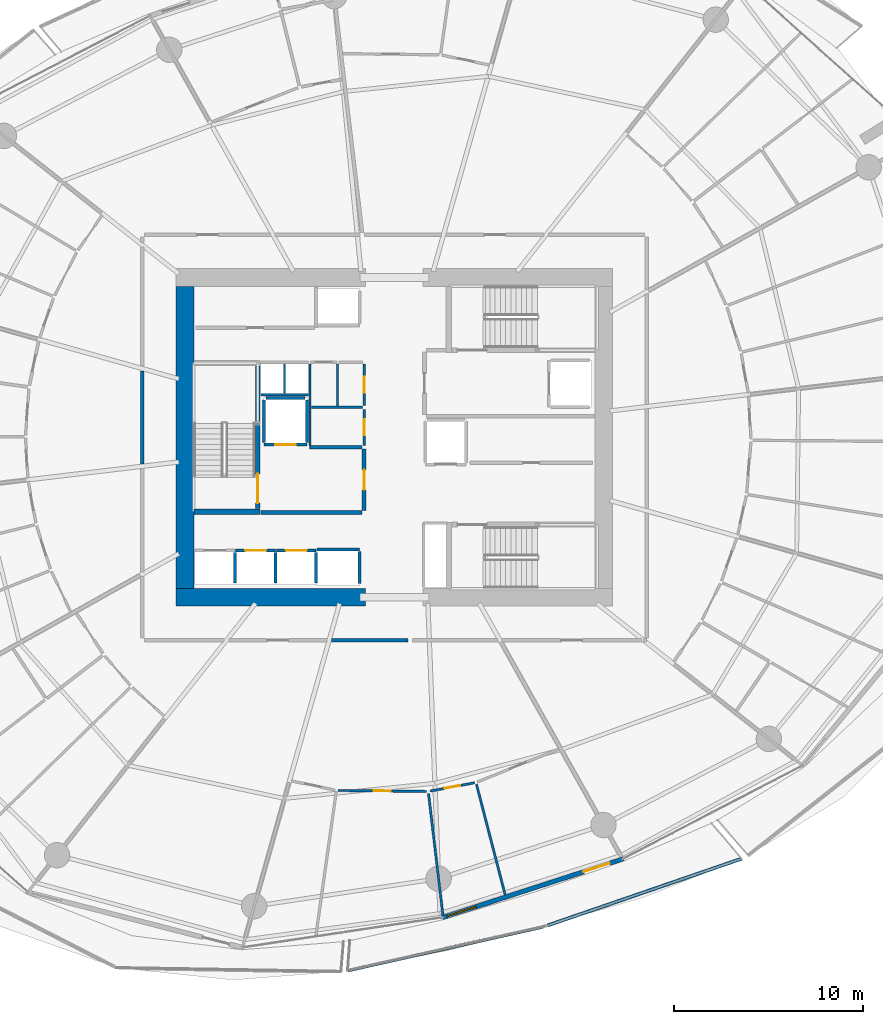
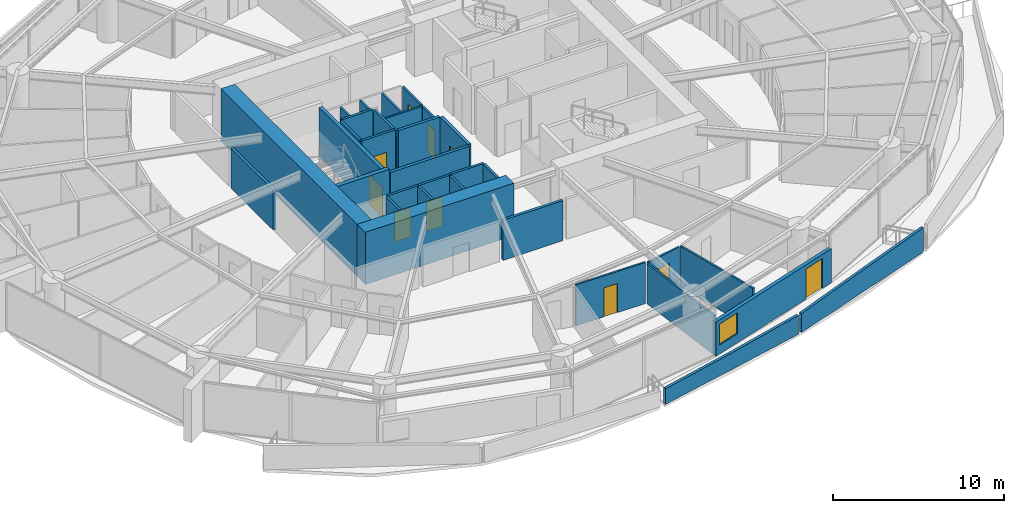
# One storey, part 20 of 32: 34 walls, 10 doors, 1 window, 11 openings.
"""IFC4 building model written with IfcOpenShell, lengths in metres."""

from ifc_helpers import new_model, si_unit, direction, frame, frame_2d, origin, place, context, subcontext, project, spatial, polyline, rectangle, outline, extrude, material, layer, layer_set, type_object, element, fill, save


model = new_model("IFC4")

# Units and contexts
model_context = context("Model", 3, precision=1e-05, world=origin(), true_north=direction((0.0, 1.0)))
body_context = subcontext(model_context, "Body", "Model", "MODEL_VIEW")
ifc_project = project(units=[si_unit("LENGTHUNIT", "METRE"), si_unit("AREAUNIT", "SQUARE_METRE"), si_unit("VOLUMEUNIT", "CUBIC_METRE"), si_unit("PLANEANGLEUNIT", "RADIAN"), si_unit("MASSUNIT", "GRAM", prefix="KILO")], contexts=[model_context])

# Site, building, storey
site_placement = place(None, origin())
site = spatial("IfcSite", under=ifc_project, at=site_placement, CompositionType="ELEMENT")
building_placement = place(site_placement, origin())
building = spatial("IfcBuilding", under=site, at=building_placement, Name="Kazma Halo Residences", CompositionType="ELEMENT")
storey_placement = place(building_placement, frame((0.0, 0.0, 63.89990234375)))
storey = spatial("IfcBuildingStorey", under=building, at=storey_placement, Name="L15", CompositionType="ELEMENT", Elevation=63.89990234375)

# Walls
ifc_material_1 = material(Name="White Concrete C50/60 Balustrade", Category="concrete")
ifc_layer_1 = layer(ifc_material_1, 0.179931640625)
ifc_layer_set_1 = layer_set([ifc_layer_1], Name="White Concrete C50/60 Balustrade")
wall_type_1 = type_object("IfcWallType", Name="WL-BAL-WAVE-180", PredefinedType="PARAPET", material=ifc_layer_set_1)
wall_1_placement = place(storey_placement, frame((45.949462890625, 13.738525390625, 0.0), z_axis=(0.0, 0.0, 1.0), x_axis=(0.975844238529, 0.218467439518, 0.0)))
element("IfcWall", 1, at=wall_1_placement, inside=storey, type_object=wall_type_1, Name="L15 white wave balustrade wall SSE.1", PredefinedType="PARAPET", context=body_context, shape_type="SweptSolid", body=[
    extrude(outline(polyline([(0.0, 0.0), (10.61083984375, 0.0), (10.61083984375, 1.34814453125), (5.305419921875, 1.18212890625), (0.0, 1.1201171875), (0.0, 0.0)])), frame((0.0, 0.08984375, 0.0), z_axis=(0.0, -1.0, 0.0), x_axis=(1.0, 0.0, 0.0)), (0.0, 0.0, 1.0), 0.179931640625),
])
wall_2_placement = place(storey_placement, frame((56.534423828125, 16.121826171875, 0.0), z_axis=(0.0, 0.0, 1.0), x_axis=(0.945564712315, 0.325434132851, 0.0)))
element("IfcWall", 2, at=wall_2_placement, inside=storey, type_object=wall_type_1, Name="L15 white wave balustrade wall SSE.2", PredefinedType="PARAPET", context=body_context, shape_type="SweptSolid", body=[
    extrude(outline(polyline([(0.0, 0.0), (10.8974609375, 0.0), (10.897216796875, 1.7470703125), (5.448486328125, 1.56201171875), (0.0, 1.34814453125), (0.0, 0.0)])), frame((0.0, 0.08984375, 0.0), z_axis=(0.0, -1.0, 0.0), x_axis=(1.0, 0.0, 0.0)), (0.0, 0.0, 1.0), 0.179931640625),
])
ifc_material_2 = material(Name="Concrete C80/95", Category="concrete")
ifc_layer_2 = layer(ifc_material_2, 0.949951171875)
ifc_layer_set_2 = layer_set([ifc_layer_2], Name="Concrete C80/95")
wall_type_2 = type_object("IfcWallType", Name="WL-CORE-950", PredefinedType="SHEAR", material=ifc_layer_set_2)
wall_3_placement = place(storey_placement, frame((36.85009765625, 33.52490234375, 0.0), z_axis=(0.0, 0.0, 1.0), x_axis=(1.0, 0.0, 0.0)))
element("IfcWall", 3, at=wall_3_placement, inside=storey, type_object=wall_type_2, Name="L15 central core shear wall SW", PredefinedType="SHEAR", context=body_context, shape_type="SweptSolid", body=[
    extrude(rectangle(XDim=10.0498046875, YDim=0.949951171875, at=frame_2d((5.02490234375, 0.0))), origin(), (0.0, 0.0, 1.0), 3.75),
])
wall_4_placement = place(storey_placement, frame((37.324951171875, 34.0, 0.0), z_axis=(0.0, 0.0, 1.0), x_axis=(0.0, 1.0, 0.0)))
element("IfcWall", 4, at=wall_4_placement, inside=storey, type_object=wall_type_2, Name="L15 central core shear wall W", PredefinedType="SHEAR", context=body_context, shape_type="SweptSolid", body=[
    extrude(rectangle(XDim=16.0, YDim=0.949951171875, at=frame_2d((8.0, 0.0))), origin(), (0.0, 0.0, 1.0), 3.75),
])
ifc_material_3 = material(Name="Concrete C60/75", Category="concrete")
ifc_layer_3 = layer(ifc_material_3, 0.280029296875)
ifc_layer_set_3 = layer_set([ifc_layer_3], Name="Concrete C60/75")
wall_type_3 = type_object("IfcWallType", Name="WL-CORE-ST-280", PredefinedType="SHEAR", material=ifc_layer_set_3)
wall_5_placement = place(storey_placement, frame((37.800048828125, 38.06005859375, 0.0), z_axis=(0.0, 0.0, 1.0), x_axis=(1.0, 0.0, 0.0)))
element("IfcWall", 5, at=wall_5_placement, inside=storey, type_object=wall_type_3, Name="L15 stairwell bearing wall ST01-S", PredefinedType="SHEAR", context=body_context, shape_type="SweptSolid", body=[
    extrude(rectangle(XDim=3.5, YDim=0.280029296875, at=frame_2d((1.75, 0.0))), origin(), (0.0, 0.0, 1.0), 3.75),
])
ifc_material_4 = material(Name="Acoustic Twin-Stud Gypsum")
ifc_layer_4 = layer(ifc_material_4, 0.179931640625)
ifc_layer_set_4 = layer_set([ifc_layer_4], Name="Acoustic Twin-Stud Gypsum")
wall_type_4 = type_object("IfcWallType", Name="WL-DEM-180", PredefinedType="PARTITIONING", material=ifc_layer_set_4)
wall_6_placement = place(storey_placement, frame((35.050048828125, 45.5322265625, 0.0), z_axis=(0.0, 0.0, 1.0), x_axis=(0.0, -1.0, 0.0)))
element("IfcWall", 6, at=wall_6_placement, inside=storey, type_object=wall_type_4, Name="L15 Apartment 1 inner wall 6", PredefinedType="PARTITIONING", context=body_context, shape_type="SweptSolid", body=[
    extrude(rectangle(XDim=4.94482421875, YDim=0.179931640625, at=frame_2d((2.472412109375, 0.0))), origin(), (0.0, 0.0, 1.0), 2.8671875),
])
wall_7_placement = place(storey_placement, frame((45.088134765625, 31.25, 0.0), z_axis=(0.0, 0.0, 1.0), x_axis=(1.0, 0.0, 0.0)))
element("IfcWall", 7, at=wall_7_placement, inside=storey, type_object=wall_type_4, Name="L15 Apartment 2 inner wall 10", PredefinedType="PARTITIONING", context=body_context, shape_type="SweptSolid", body=[
    extrude(rectangle(XDim=4.064208984375, YDim=0.179931640625, at=frame_2d((2.0322265625, 0.0))), origin(), (0.0, 0.0, 1.0), 2.8671875),
])

# Wall, openings, door, window
ifc_material_5 = material(Name="Insulated Pale-Metal Composite Wall")
ifc_layer_5 = layer(ifc_material_5, 0.239990234375)
ifc_layer_set_5 = layer_set([ifc_layer_5], Name="Insulated Pale-Metal Composite Wall")
wall_type_5 = type_object("IfcWallType", Name="WL-EXT-HOST-240", PredefinedType="SOLIDWALL", material=ifc_layer_set_5)
wall_8_placement = place(storey_placement, frame((50.9638671875, 16.54150390625, 0.0), z_axis=(0.0, 0.0, 1.0), x_axis=(0.951054679225, 0.309022648238, 0.0)))
wall_8 = element("IfcWall", 8, at=wall_8_placement, inside=storey, type_object=wall_type_5, Name="L15 exterior terrace-access wall B12", PredefinedType="SOLIDWALL", context=body_context, shape_type="SweptSolid", body=[
    extrude(rectangle(XDim=10.0966796875, YDim=0.239990234375, at=frame_2d((5.04833984375, 0.0))), origin(), (0.0, 0.0, 1.0), 2.4501953125),
])
opening_1_placement = place(wall_8_placement, frame((7.876708984375, 0.0, 0.0)))
opening_1 = element("IfcOpeningElement", 9, at=opening_1_placement, cuts=wall_8, Name="Opening DTR-1600", PredefinedType="OPENING", context=body_context, shape_type="SweptSolid", body=[
    extrude(rectangle(XDim=1.449951171875, YDim=2.14990234375, at=frame_2d((0.72509765625, 1.074951171875))), frame((0.0, 0.1298828125, 0.0), z_axis=(0.0, -1.0, 0.0), x_axis=(1.0, 0.0, 0.0)), (0.0, 0.0, 1.0), 0.260009765625),
])
opening_2_placement = place(wall_8_placement, frame((0.280029296875, 0.0, 0.64990234375)))
opening_2 = element("IfcOpeningElement", 10, at=opening_2_placement, cuts=wall_8, Name="Opening W-1800", PredefinedType="OPENING", context=body_context, shape_type="SweptSolid", body=[
    extrude(rectangle(XDim=1.60009765625, YDim=1.5, at=frame_2d((0.800048828125, 0.75))), frame((0.0, 0.1298828125, 0.0), z_axis=(0.0, -1.0, 0.0), x_axis=(1.0, 0.0, 0.0)), (0.0, 0.0, 1.0), 0.260009765625),
])
ifc_material_6 = material(Name="Aluminium AW-6063 T6 Double-Glazed Terrace Door", Category="aluminium")
door_type_1 = type_object("IfcDoorType", Name="DR-EXT-TERR-1600", OperationType="NOTDEFINED", PredefinedType="DOOR", material=ifc_material_6)
door_1_placement = place(opening_1_placement, origin())
door_1 = element("IfcDoor", 11, at=door_1_placement, inside=storey, type_object=door_type_1, Name="L15 B12 balcony terrace door", OperationType="DOUBLE_DOOR_SLIDING", OverallHeight=2.14990234375, OverallWidth=1.449951171875, PredefinedType="DOOR", context=body_context, shape_type="SweptSolid", body=[
    extrude(rectangle(XDim=1.449951171875, YDim=2.14990234375, at=frame_2d((0.72509765625, 1.074951171875))), frame((0.0, 0.02490234375, 0.0), z_axis=(0.0, -1.0, 0.0), x_axis=(1.0, 0.0, 0.0)), (0.0, 0.0, 1.0), 0.050048828125),
])
fill(opening_1, door_1)
ifc_material_7 = material(Name="Clear Triple-Silver Low-E Glass in Aluminium AW-6063 T6 Frame", Category="aluminium")
window_type = type_object("IfcWindowType", Name="WIN-RES-1800", PartitioningType="DOUBLE_PANEL_VERTICAL", PredefinedType="WINDOW", material=ifc_material_7)
window_placement = place(opening_2_placement, origin())
window = element("IfcWindow", 12, at=window_placement, inside=storey, type_object=window_type, Name="L15 B12 apartment window", OverallHeight=1.5, OverallWidth=1.60009765625, PartitioningType="SINGLE_PANEL", PredefinedType="WINDOW", context=body_context, shape_type="SweptSolid", body=[
    extrude(rectangle(XDim=1.60009765625, YDim=1.5, at=frame_2d((0.800048828125, 0.75))), frame((0.0, 0.030029296875, 0.0), z_axis=(0.0, -1.0, 0.0), x_axis=(1.0, 0.0, 0.0)), (0.0, 0.0, 1.0), 0.06005859375),
])
fill(opening_2, window)

# Wall
ifc_material_8 = material(Name="Fire-Rated Blockwork Masonry", Category="masonry")
ifc_layer_6 = layer(ifc_material_8, 0.199951171875)
ifc_layer_set_6 = layer_set([ifc_layer_6], Name="Fire-Rated Blockwork Masonry")
wall_type_6 = type_object("IfcWallType", Name="WL-FLB-200", PredefinedType="PARTITIONING", material=ifc_layer_set_6)
wall_9_placement = place(storey_placement, frame((39.97509765625, 34.294921875, 0.0), z_axis=(0.0, 0.0, 1.0), x_axis=(0.0, 1.0, 0.0)))
element("IfcWall", 13, at=wall_9_placement, inside=storey, type_object=wall_type_6, Name="L15 lift shaft PL-01 side wall E", PredefinedType="PARTITIONING", context=body_context, shape_type="SweptSolid", body=[
    extrude(rectangle(XDim=1.610107421875, YDim=0.159912109375, at=frame_2d((0.80517578125, 0.0))), origin(), (0.0, 0.0, 1.0), 3.5),
])

# Wall, opening, door
wall_10_placement = place(storey_placement, frame((40.014892578125, 36.0048828125, 0.0), z_axis=(0.0, 0.0, 1.0), x_axis=(1.0, 0.0, 0.0)))
wall_10 = element("IfcWall", 14, at=wall_10_placement, inside=storey, type_object=wall_type_6, Name="L15 lift shaft PL-02 front wall", PredefinedType="PARTITIONING", context=body_context, shape_type="SweptSolid", body=[
    extrude(rectangle(XDim=2.110107421875, YDim=0.159912109375, at=frame_2d((1.05517578125, 0.0))), origin(), (0.0, 0.0, 1.0), 3.5),
])
opening_3_placement = place(wall_10_placement, frame((0.5048828125, 0.0, 0.0)))
opening_3 = element("IfcOpeningElement", 15, at=opening_3_placement, cuts=wall_10, Name="Opening LD-PL-02", PredefinedType="OPENING", context=body_context, shape_type="SweptSolid", body=[
    extrude(rectangle(XDim=1.10009765625, YDim=2.10009765625, at=frame_2d((0.550048828125, 1.050048828125))), frame((0.0, 0.08984375, 0.0), z_axis=(0.0, -1.0, 0.0), x_axis=(1.0, 0.0, 0.0)), (0.0, 0.0, 1.0), 0.179931640625),
])
ifc_material_9 = material(Name="Stainless Steel Fire-Rated", Category="steel")
door_type_2 = type_object("IfcDoorType", Name="DR-LIFT-SLD-1100", OperationType="DOUBLE_DOOR_SLIDING", PredefinedType="DOOR", material=ifc_material_9)
door_2_placement = place(opening_3_placement, origin())
door_2 = element("IfcDoor", 16, at=door_2_placement, inside=storey, type_object=door_type_2, Name="L15 lift PL-02 sliding landing door", OperationType="DOUBLE_DOOR_SLIDING", OverallHeight=2.10009765625, OverallWidth=1.10009765625, PredefinedType="DOOR", context=body_context, shape_type="SweptSolid", body=[
    extrude(rectangle(XDim=1.10009765625, YDim=2.10009765625, at=frame_2d((0.550048828125, 1.050048828125))), frame((0.0, 0.02490234375, 0.0), z_axis=(0.0, -1.0, 0.0), x_axis=(1.0, 0.0, 0.0)), (0.0, 0.0, 1.0), 0.050048828125),
])
fill(opening_3, door_2)

# Wall
wall_11_placement = place(storey_placement, frame((42.125, 34.294921875, 0.0), z_axis=(0.0, 0.0, 1.0), x_axis=(0.0, 1.0, 0.0)))
element("IfcWall", 17, at=wall_11_placement, inside=storey, type_object=wall_type_6, Name="L15 lift shaft PL-02 side wall E", PredefinedType="PARTITIONING", context=body_context, shape_type="SweptSolid", body=[
    extrude(rectangle(XDim=1.610107421875, YDim=0.159912109375, at=frame_2d((0.80517578125, 0.0))), origin(), (0.0, 0.0, 1.0), 3.5),
])

# Wall, opening, door
wall_12_placement = place(storey_placement, frame((42.1650390625, 36.0048828125, 0.0), z_axis=(0.0, 0.0, 1.0), x_axis=(1.0, 0.0, 0.0)))
wall_12 = element("IfcWall", 18, at=wall_12_placement, inside=storey, type_object=wall_type_6, Name="L15 lift shaft PL-03 front wall", PredefinedType="PARTITIONING", context=body_context, shape_type="SweptSolid", body=[
    extrude(rectangle(XDim=2.10986328125, YDim=0.159912109375, at=frame_2d((1.054931640625, 0.0))), origin(), (0.0, 0.0, 1.0), 3.5),
])
opening_4_placement = place(wall_12_placement, frame((0.5048828125, 0.0, 0.0)))
opening_4 = element("IfcOpeningElement", 19, at=opening_4_placement, cuts=wall_12, Name="Opening LD-PL-03", PredefinedType="OPENING", context=body_context, shape_type="SweptSolid", body=[
    extrude(rectangle(XDim=1.10009765625, YDim=2.10009765625, at=frame_2d((0.550048828125, 1.050048828125))), frame((0.0, 0.08984375, 0.0), z_axis=(0.0, -1.0, 0.0), x_axis=(1.0, 0.0, 0.0)), (0.0, 0.0, 1.0), 0.179931640625),
])
door_3_placement = place(opening_4_placement, origin())
door_3 = element("IfcDoor", 20, at=door_3_placement, inside=storey, type_object=door_type_2, Name="L15 lift PL-03 sliding landing door", OperationType="DOUBLE_DOOR_SLIDING", OverallHeight=2.10009765625, OverallWidth=1.10009765625, PredefinedType="DOOR", context=body_context, shape_type="SweptSolid", body=[
    extrude(rectangle(XDim=1.10009765625, YDim=2.10009765625, at=frame_2d((0.550048828125, 1.050048828125))), frame((0.0, 0.02490234375, 0.0), z_axis=(0.0, -1.0, 0.0), x_axis=(1.0, 0.0, 0.0)), (0.0, 0.0, 1.0), 0.050048828125),
])
fill(opening_4, door_3)

# Walls
wall_13_placement = place(storey_placement, frame((44.27490234375, 34.294921875, 0.0), z_axis=(0.0, 0.0, 1.0), x_axis=(0.0, 1.0, 0.0)))
element("IfcWall", 21, at=wall_13_placement, inside=storey, type_object=wall_type_6, Name="L15 lift shaft PL-03 side wall E", PredefinedType="PARTITIONING", context=body_context, shape_type="SweptSolid", body=[
    extrude(rectangle(XDim=1.610107421875, YDim=0.159912109375, at=frame_2d((0.80517578125, 0.0))), origin(), (0.0, 0.0, 1.0), 3.5),
])
wall_14_placement = place(storey_placement, frame((44.320068359375, 36.054931640625, 0.0), z_axis=(0.0, 0.0, 1.0), x_axis=(1.0, 0.0, 0.0)))
element("IfcWall", 22, at=wall_14_placement, inside=storey, type_object=wall_type_6, Name="L15 lift shaft PX-02 front wall", PredefinedType="PARTITIONING", context=body_context, shape_type="SweptSolid", body=[
    extrude(rectangle(XDim=2.260009765625, YDim=0.159912109375, at=frame_2d((1.1298828125, 0.0))), origin(), (0.0, 0.0, 1.0), 3.5),
])
wall_15_placement = place(storey_placement, frame((46.580078125, 34.2451171875, 0.0), z_axis=(0.0, 0.0, 1.0), x_axis=(0.0, 1.0, 0.0)))
element("IfcWall", 23, at=wall_15_placement, inside=storey, type_object=wall_type_6, Name="L15 lift shaft PX-02 side wall E", PredefinedType="PARTITIONING", context=body_context, shape_type="SweptSolid", body=[
    extrude(rectangle(XDim=1.7099609375, YDim=0.159912109375, at=frame_2d((0.85498046875, 0.0))), origin(), (0.0, 0.0, 1.0), 3.5),
])

# Wall, opening, door
wall_16_placement = place(storey_placement, frame((43.780029296875, 41.6201171875, 0.0), z_axis=(0.0, 0.0, 1.0), x_axis=(-1.0, 0.0, 0.0)))
wall_16 = element("IfcWall", 24, at=wall_16_placement, inside=storey, type_object=wall_type_6, Name="L15 lift shaft FL-01 front wall", PredefinedType="PARTITIONING", context=body_context, shape_type="SweptSolid", body=[
    extrude(rectangle(XDim=2.260009765625, YDim=0.159912109375, at=frame_2d((1.1298828125, 0.0))), origin(), (0.0, 0.0, 1.0), 3.5),
])
opening_5_placement = place(wall_16_placement, frame((0.580078125, 0.0, 0.0)))
opening_5 = element("IfcOpeningElement", 25, at=opening_5_placement, cuts=wall_16, Name="Opening LD-FL-01", PredefinedType="OPENING", context=body_context, shape_type="SweptSolid", body=[
    extrude(rectangle(XDim=1.10009765625, YDim=2.10009765625, at=frame_2d((0.550048828125, 1.050048828125))), frame((0.0, 0.08984375, 0.0), z_axis=(0.0, -1.0, 0.0), x_axis=(1.0, 0.0, 0.0)), (0.0, 0.0, 1.0), 0.179931640625),
])
door_4_placement = place(opening_5_placement, origin())
door_4 = element("IfcDoor", 26, at=door_4_placement, inside=storey, type_object=door_type_2, Name="L15 lift FL-01 sliding landing door", OperationType="DOUBLE_DOOR_SLIDING", OverallHeight=2.10009765625, OverallWidth=1.10009765625, PredefinedType="DOOR", context=body_context, shape_type="SweptSolid", body=[
    extrude(rectangle(XDim=1.10009765625, YDim=2.10009765625, at=frame_2d((0.550048828125, 1.050048828125))), frame((0.0, 0.02490234375, 0.0), z_axis=(0.0, -1.0, 0.0), x_axis=(1.0, 0.0, 0.0)), (0.0, 0.0, 1.0), 0.050048828125),
])
fill(opening_5, door_4)

# Walls
for number, where, z_axis, x_axis, name in (
    (27, (43.780029296875, 41.719970703125, 0.0), (0.0, 0.0, 1.0), (0.0, 1.0, 0.0), "L15 lift shaft FL-01 side wall E"),
    (28, (41.52001953125, 41.719970703125, 0.0), (0.0, 0.0, 1.0), (0.0, 1.0, 0.0), "L15 lift shaft FL-01 side wall W"),
):
    element("IfcWall", number, at=place(storey_placement, frame(where, z_axis=z_axis, x_axis=x_axis)), inside=storey, type_object=wall_type_6, Name=name, PredefinedType="PARTITIONING", context=body_context, shape_type="SweptSolid", body=[
        extrude(rectangle(XDim=2.260009765625, YDim=0.159912109375, at=frame_2d((1.1298828125, 0.0))), origin(), (0.0, 0.0, 1.0), 3.5),
    ])
wall_17_placement = place(storey_placement, frame((41.6201171875, 44.080078125, 0.0), z_axis=(0.0, 0.0, 1.0), x_axis=(1.0, 0.0, 0.0)))
element("IfcWall", 29, at=wall_17_placement, inside=storey, type_object=wall_type_6, Name="L15 lift shaft FL-01 side wall N", PredefinedType="PARTITIONING", context=body_context, shape_type="SweptSolid", body=[
    extrude(rectangle(XDim=2.059814453125, YDim=0.159912109375, at=frame_2d((1.02978515625, 0.0))), origin(), (0.0, 0.0, 1.0), 3.5),
])
wall_18_placement = place(storey_placement, frame((41.35009765625, 38.02001953125, 0.0), z_axis=(0.0, 0.0, 1.0), x_axis=(1.0, 0.0, 0.0)))
element("IfcWall", 30, at=wall_18_placement, inside=storey, type_object=wall_type_6, Name="L15 west firefighting lobby south smoke wall", PredefinedType="PARTITIONING", context=body_context, shape_type="SweptSolid", body=[
    extrude(rectangle(XDim=5.369873046875, YDim=0.199951171875, at=frame_2d((2.68505859375, 0.0))), origin(), (0.0, 0.0, 1.0), 3.5),
])
wall_19_placement = place(storey_placement, frame((43.919921875, 41.47998046875, 0.0), z_axis=(0.0, 0.0, 1.0), x_axis=(1.0, 0.0, 0.0)))
element("IfcWall", 31, at=wall_19_placement, inside=storey, type_object=wall_type_6, Name="L15 west firefighting lobby north smoke wall", PredefinedType="PARTITIONING", context=body_context, shape_type="SweptSolid", body=[
    extrude(rectangle(XDim=2.800048828125, YDim=0.199951171875, at=frame_2d((1.39990234375, 0.0))), origin(), (0.0, 0.0, 1.0), 3.5),
])

# Wall, opening, door
wall_20_placement = place(storey_placement, frame((46.820068359375, 38.1201171875, 0.0), z_axis=(0.0, 0.0, 1.0), x_axis=(0.0, 1.0, 0.0)))
wall_20 = element("IfcWall", 32, at=wall_20_placement, inside=storey, type_object=wall_type_6, Name="L15 west firefighting lobby smoke wall", PredefinedType="PARTITIONING", context=body_context, shape_type="SweptSolid", body=[
    extrude(rectangle(XDim=3.259765625, YDim=0.199951171875, at=frame_2d((1.6298828125, 0.0))), origin(), (0.0, 0.0, 1.0), 3.5),
])
opening_6_placement = place(wall_20_placement, frame((1.10498046875, 0.0, 0.0)))
opening_6 = element("IfcOpeningElement", 33, at=opening_6_placement, cuts=wall_20, Name="Opening D-FLW", PredefinedType="OPENING", context=body_context, shape_type="SweptSolid", body=[
    extrude(rectangle(XDim=1.050048828125, YDim=2.10009765625, at=frame_2d((0.52490234375, 1.050048828125))), frame((0.0, 0.10986328125, 0.0), z_axis=(0.0, -1.0, 0.0), x_axis=(1.0, 0.0, 0.0)), (0.0, 0.0, 1.0), 0.219970703125),
])
ifc_material_10 = material(Name="Fire-Rated Steel Leaf", Category="steel")
door_type_3 = type_object("IfcDoorType", Name="DR-FD90-1050", OperationType="NOTDEFINED", PredefinedType="DOOR", material=ifc_material_10)
door_5_placement = place(opening_6_placement, origin())
door_5 = element("IfcDoor", 34, at=door_5_placement, inside=storey, type_object=door_type_3, Name="L15 west firefighting lobby smoke door", OperationType="SINGLE_SWING_RIGHT", OverallHeight=2.10009765625, OverallWidth=1.050048828125, PredefinedType="DOOR", context=body_context, shape_type="SweptSolid", body=[
    extrude(rectangle(XDim=1.050048828125, YDim=2.10009765625, at=frame_2d((0.52490234375, 1.050048828125))), frame((0.0, 0.02490234375, 0.0), z_axis=(0.0, -1.0, 0.0), x_axis=(1.0, 0.0, 0.0)), (0.0, 0.0, 1.0), 0.050048828125),
])
fill(opening_6, door_5)

# Walls
ifc_material_11 = material(Name="Gypsum Plasterboard Partition")
ifc_layer_7 = layer(ifc_material_11, 0.125)
ifc_layer_set_7 = layer_set([ifc_layer_7], Name="Gypsum Plasterboard Partition")
wall_type_7 = type_object("IfcWallType", Name="WL-PART-125", PredefinedType="PARTITIONING", material=ifc_layer_set_7)
wall_21_placement = place(storey_placement, frame((41.360107421875, 44.260009765625, 0.0), z_axis=(0.0, 0.0, 1.0), x_axis=(1.0, 0.0, 0.0)))
element("IfcWall", 35, at=wall_21_placement, inside=storey, type_object=wall_type_7, Name="L15 core riser south wall", PredefinedType="PARTITIONING", context=body_context, shape_type="SweptSolid", body=[
    extrude(rectangle(XDim=2.5, YDim=0.125, at=frame_2d((1.25, 0.0))), origin(), (0.0, 0.0, 1.0), 2.940185546875),
])
wall_22_placement = place(storey_placement, frame((42.60009765625, 44.35009765625, 0.0), z_axis=(0.0, 0.0, 1.0), x_axis=(0.0, 1.0, 0.0)))
element("IfcWall", 36, at=wall_22_placement, inside=storey, type_object=wall_type_7, Name="L15 core riser divider wall", PredefinedType="PARTITIONING", context=body_context, shape_type="SweptSolid", body=[
    extrude(rectangle(XDim=1.5498046875, YDim=0.125, at=frame_2d((0.77490234375, 0.0))), origin(), (0.0, 0.0, 1.0), 2.940185546875),
])
wall_23_placement = place(storey_placement, frame((43.949951171875, 41.580078125, 0.0), z_axis=(0.0, 0.0, 1.0), x_axis=(0.0, 1.0, 0.0)))
element("IfcWall", 37, at=wall_23_placement, inside=storey, type_object=wall_type_7, Name="L15 core service west wall", PredefinedType="PARTITIONING", context=body_context, shape_type="SweptSolid", body=[
    extrude(rectangle(XDim=4.31982421875, YDim=0.125, at=frame_2d((2.159912109375, 0.0))), origin(), (0.0, 0.0, 1.0), 2.940185546875),
])
wall_24_placement = place(storey_placement, frame((44.030029296875, 43.590087890625, 0.0), z_axis=(0.0, 0.0, 1.0), x_axis=(1.0, 0.0, 0.0)))
element("IfcWall", 38, at=wall_24_placement, inside=storey, type_object=wall_type_7, Name="L15 core service horiz divider", PredefinedType="PARTITIONING", context=body_context, shape_type="SweptSolid", body=[
    extrude(rectangle(XDim=2.7099609375, YDim=0.125, at=frame_2d((1.35498046875, 0.0))), origin(), (0.0, 0.0, 1.0), 2.940185546875),
])
wall_25_placement = place(storey_placement, frame((45.409912109375, 43.669921875, 0.0), z_axis=(0.0, 0.0, 1.0), x_axis=(0.0, 1.0, 0.0)))
element("IfcWall", 39, at=wall_25_placement, inside=storey, type_object=wall_type_7, Name="L15 core service vert divider", PredefinedType="PARTITIONING", context=body_context, shape_type="SweptSolid", body=[
    extrude(rectangle(XDim=2.22998046875, YDim=0.125, at=frame_2d((1.114990234375, 0.0))), origin(), (0.0, 0.0, 1.0), 2.940185546875),
])

# Wall, opening, door
wall_26_placement = place(storey_placement, frame((46.820068359375, 41.580078125, 0.0), z_axis=(0.0, 0.0, 1.0), x_axis=(0.0, 1.0, 0.0)))
wall_26 = element("IfcWall", 40, at=wall_26_placement, inside=storey, type_object=wall_type_7, Name="L15 refuse room east wall", PredefinedType="PARTITIONING", context=body_context, shape_type="SweptSolid", body=[
    extrude(rectangle(XDim=1.909912109375, YDim=0.125, at=frame_2d((0.955078125, 0.0))), origin(), (0.0, 0.0, 1.0), 2.940185546875),
])
opening_7_placement = place(wall_26_placement, frame((0.530029296875, 0.0, 0.0)))
opening_7 = element("IfcOpeningElement", 41, at=opening_7_placement, cuts=wall_26, Name="Opening DS-850", PredefinedType="OPENING", context=body_context, shape_type="SweptSolid", body=[
    extrude(rectangle(XDim=0.85009765625, YDim=2.06005859375, at=frame_2d((0.425048828125, 1.030029296875))), frame((0.0, 0.072509765625, 0.0), z_axis=(0.0, -1.0, 0.0), x_axis=(1.0, 0.0, 0.0)), (0.0, 0.0, 1.0), 0.14501953125),
])
ifc_material_12 = material(Name="Painted Steel Access Leaf", Category="steel")
door_type_4 = type_object("IfcDoorType", Name="DR-SVC-850", OperationType="NOTDEFINED", PredefinedType="DOOR", material=ifc_material_12)
door_6_placement = place(opening_7_placement, origin())
door_6 = element("IfcDoor", 42, at=door_6_placement, inside=storey, type_object=door_type_4, Name="L15 refuse room door", OperationType="SINGLE_SWING_RIGHT", OverallHeight=2.06005859375, OverallWidth=0.85009765625, PredefinedType="DOOR", context=body_context, shape_type="SweptSolid", body=[
    extrude(rectangle(XDim=0.85009765625, YDim=2.06005859375, at=frame_2d((0.425048828125, 1.030029296875))), frame((0.0, 0.02490234375, 0.0), z_axis=(0.0, -1.0, 0.0), x_axis=(1.0, 0.0, 0.0)), (0.0, 0.0, 1.0), 0.050048828125),
])
fill(opening_7, door_6)

wall_27_placement = place(storey_placement, frame((46.820068359375, 43.68994140625, 0.0), z_axis=(0.0, 0.0, 1.0), x_axis=(0.0, 1.0, 0.0)))
wall_27 = element("IfcWall", 43, at=wall_27_placement, inside=storey, type_object=wall_type_7, Name="L15 sub-metering east wall", PredefinedType="PARTITIONING", context=body_context, shape_type="SweptSolid", body=[
    extrude(rectangle(XDim=2.18994140625, YDim=0.125, at=frame_2d((1.094970703125, 0.0))), origin(), (0.0, 0.0, 1.0), 2.940185546875),
])
opening_8_placement = place(wall_27_placement, frame((0.669921875, 0.0, 0.0)))
opening_8 = element("IfcOpeningElement", 44, at=opening_8_placement, cuts=wall_27, Name="Opening DS-850", PredefinedType="OPENING", context=body_context, shape_type="SweptSolid", body=[
    extrude(rectangle(XDim=0.85009765625, YDim=2.06005859375, at=frame_2d((0.425048828125, 1.030029296875))), frame((0.0, 0.072509765625, 0.0), z_axis=(0.0, -1.0, 0.0), x_axis=(1.0, 0.0, 0.0)), (0.0, 0.0, 1.0), 0.14501953125),
])
door_7_placement = place(opening_8_placement, origin())
door_7 = element("IfcDoor", 45, at=door_7_placement, inside=storey, type_object=door_type_4, Name="L15 sub-metering door", OperationType="SINGLE_SWING_LEFT", OverallHeight=2.06005859375, OverallWidth=0.85009765625, PredefinedType="DOOR", context=body_context, shape_type="SweptSolid", body=[
    extrude(rectangle(XDim=0.85009765625, YDim=2.06005859375, at=frame_2d((0.425048828125, 1.030029296875))), frame((0.0, 0.02490234375, 0.0), z_axis=(0.0, -1.0, 0.0), x_axis=(1.0, 0.0, 0.0)), (0.0, 0.0, 1.0), 0.050048828125),
])
fill(opening_8, door_7)

wall_28_placement = place(storey_placement, frame((45.431640625, 23.28564453125, 0.0), z_axis=(0.0, 0.0, 1.0), x_axis=(0.999935022773, -0.011399571577, 0.0)))
wall_28 = element("IfcWall", 46, at=wall_28_placement, inside=storey, type_object=wall_type_7, Name="L15 Apartment 2 West Master Bedroom hall wall", PredefinedType="PARTITIONING", context=body_context, shape_type="SweptSolid", body=[
    extrude(rectangle(XDim=4.690185546875, YDim=0.125, at=frame_2d((2.34521484375, 0.0))), origin(), (0.0, 0.0, 1.0), 2.940185546875),
])
opening_9_placement = place(wall_28_placement, frame((1.89501953125, 0.0, 0.0)))
opening_9 = element("IfcOpeningElement", 47, at=opening_9_placement, cuts=wall_28, Name="Opening DI-950", PredefinedType="OPENING", context=body_context, shape_type="SweptSolid", body=[
    extrude(rectangle(XDim=0.89990234375, YDim=2.080078125, at=frame_2d((0.449951171875, 1.0400390625))), frame((0.0, 0.072509765625, 0.0), z_axis=(0.0, -1.0, 0.0), x_axis=(1.0, 0.0, 0.0)), (0.0, 0.0, 1.0), 0.14501953125),
])
ifc_material_13 = material(Name="Timber Veneer Flush Leaf", Category="wood")
door_type_5 = type_object("IfcDoorType", Name="DR-INT-950", OperationType="NOTDEFINED", PredefinedType="DOOR", material=ifc_material_13)
door_8_placement = place(opening_9_placement, origin())
door_8 = element("IfcDoor", 48, at=door_8_placement, inside=storey, type_object=door_type_5, Name="L15 Apartment 2 West Master Bedroom door", OperationType="SINGLE_SWING_LEFT", OverallHeight=2.080078125, OverallWidth=0.89990234375, PredefinedType="DOOR", context=body_context, shape_type="SweptSolid", body=[
    extrude(rectangle(XDim=0.89990234375, YDim=2.080078125, at=frame_2d((0.449951171875, 1.0400390625))), frame((0.0, 0.02490234375, 0.0), z_axis=(0.0, -1.0, 0.0), x_axis=(1.0, 0.0, 0.0)), (0.0, 0.0, 1.0), 0.050048828125),
])
fill(opening_9, door_8)

# Walls
wall_29_placement = place(storey_placement, frame((50.2333984375, 23.131591796875, 0.0), z_axis=(0.0, 0.0, 1.0), x_axis=(0.117489829597, -0.993074085827, 0.0)))
element("IfcWall", 49, at=wall_29_placement, inside=storey, type_object=wall_type_7, Name="L15 Apartment 2 radial partition 11", PredefinedType="PARTITIONING", context=body_context, shape_type="SweptSolid", body=[
    extrude(rectangle(XDim=6.595458984375, YDim=0.125, at=frame_2d((3.2978515625, 0.0))), origin(), (0.0, 0.0, 1.0), 2.8671875),
])
wall_30_placement = place(storey_placement, frame((52.773193359375, 23.61962890625, 0.0), z_axis=(0.0, 0.0, 1.0), x_axis=(0.25132433645, -0.967902927936, 0.0)))
element("IfcWall", 50, at=wall_30_placement, inside=storey, type_object=wall_type_7, Name="L15 Apartment 2 mid-bay wall 11", PredefinedType="PARTITIONING", context=body_context, shape_type="SweptSolid", body=[
    extrude(rectangle(XDim=6.058837890625, YDim=0.125, at=frame_2d((3.029296875, 0.0))), origin(), (0.0, 0.0, 1.0), 2.940185546875),
])

# Wall, opening, door
wall_31_placement = place(storey_placement, frame((50.31982421875, 23.24951171875, 0.0), z_axis=(0.0, 0.0, 1.0), x_axis=(0.982768095507, 0.18484282635, 0.0)))
wall_31 = element("IfcWall", 51, at=wall_31_placement, inside=storey, type_object=wall_type_7, Name="L15 Apartment 2 North Private Study hall wall", PredefinedType="PARTITIONING", context=body_context, shape_type="SweptSolid", body=[
    extrude(rectangle(XDim=2.393310546875, YDim=0.125, at=frame_2d((1.19677734375, 0.0))), origin(), (0.0, 0.0, 1.0), 2.8671875),
])
opening_10_placement = place(wall_31_placement, frame((0.771728515625, 0.0, 0.0)))
opening_10 = element("IfcOpeningElement", 52, at=opening_10_placement, cuts=wall_31, Name="Opening DB-900", PredefinedType="OPENING", context=body_context, shape_type="SweptSolid", body=[
    extrude(rectangle(XDim=0.85009765625, YDim=2.06005859375, at=frame_2d((0.425048828125, 1.030029296875))), frame((0.0, 0.072509765625, 0.0), z_axis=(0.0, -1.0, 0.0), x_axis=(1.0, 0.0, 0.0)), (0.0, 0.0, 1.0), 0.14501953125),
])
ifc_material_14 = material(Name="Moisture-Sealed Timber Leaf", Category="wood")
door_type_6 = type_object("IfcDoorType", Name="DR-BTH-900", OperationType="NOTDEFINED", PredefinedType="DOOR", material=ifc_material_14)
door_9_placement = place(opening_10_placement, origin())
door_9 = element("IfcDoor", 53, at=door_9_placement, inside=storey, type_object=door_type_6, Name="L15 Apartment 2 North Private Study door", OperationType="SINGLE_SWING_LEFT", OverallHeight=2.06005859375, OverallWidth=0.85009765625, PredefinedType="DOOR", context=body_context, shape_type="SweptSolid", body=[
    extrude(rectangle(XDim=0.85009765625, YDim=2.06005859375, at=frame_2d((0.425048828125, 1.030029296875))), frame((0.0, 0.02490234375, 0.0), z_axis=(0.0, -1.0, 0.0), x_axis=(1.0, 0.0, 0.0)), (0.0, 0.0, 1.0), 0.050048828125),
])
fill(opening_10, door_9)

ifc_material_15 = material(Name="Concrete C50/60", Category="concrete")
ifc_layer_8 = layer(ifc_material_15, 0.25)
ifc_layer_set_8 = layer_set([ifc_layer_8], Name="Concrete C50/60")
wall_type_8 = type_object("IfcWallType", Name="WL-SHF-250", PredefinedType="SOLIDWALL", material=ifc_layer_set_8)
wall_32_placement = place(storey_placement, frame((41.179931640625, 38.219970703125, 0.0), z_axis=(0.0, 0.0, 1.0), x_axis=(0.0, 1.0, 0.0)))
wall_32 = element("IfcWall", 54, at=wall_32_placement, inside=storey, type_object=wall_type_8, Name="L15 exit stair ST-01 enclosure wall", PredefinedType="SOLIDWALL", context=body_context, shape_type="SweptSolid", body=[
    extrude(rectangle(XDim=7.56005859375, YDim=0.25, at=frame_2d((3.780029296875, 0.0))), origin(), (0.0, 0.0, 1.0), 3.5),
])
opening_11_placement = place(wall_32_placement, frame((0.300048828125, 0.0, 0.0)))
opening_11 = element("IfcOpeningElement", 55, at=opening_11_placement, cuts=wall_32, Name="Opening D-ST1", PredefinedType="OPENING", context=body_context, shape_type="SweptSolid", body=[
    extrude(rectangle(XDim=1.550048828125, YDim=2.14990234375, at=frame_2d((0.77490234375, 1.074951171875))), frame((0.0, 0.135009765625, 0.0), z_axis=(0.0, -1.0, 0.0), x_axis=(1.0, 0.0, 0.0)), (0.0, 0.0, 1.0), 0.27001953125),
])
ifc_material_16 = material(Name="Fire-Rated Double Steel Leaf", Category="steel")
door_type_7 = type_object("IfcDoorType", Name="DR-FD90-1550", OperationType="NOTDEFINED", PredefinedType="DOOR", material=ifc_material_16)
door_10_placement = place(opening_11_placement, origin())
door_10 = element("IfcDoor", 56, at=door_10_placement, inside=storey, type_object=door_type_7, Name="L15 exit stair ST-01 fire door", OperationType="DOUBLE_DOOR_SINGLE_SWING", OverallHeight=2.14990234375, OverallWidth=1.550048828125, PredefinedType="DOOR", context=body_context, shape_type="SweptSolid", body=[
    extrude(rectangle(XDim=1.550048828125, YDim=2.14990234375, at=frame_2d((0.77490234375, 1.074951171875))), frame((0.0, 0.02490234375, 0.0), z_axis=(0.0, -1.0, 0.0), x_axis=(1.0, 0.0, 0.0)), (0.0, 0.0, 1.0), 0.050048828125),
])
fill(opening_11, door_10)

save(model, "model.ifc")
